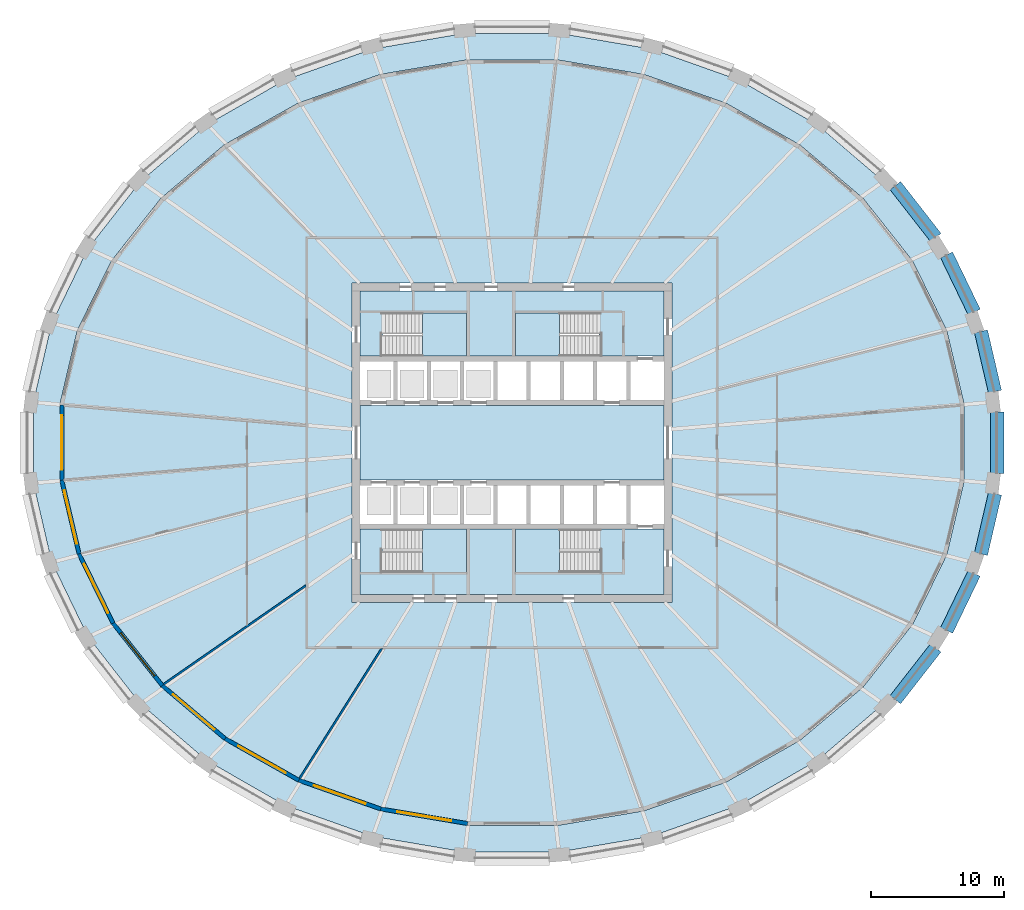
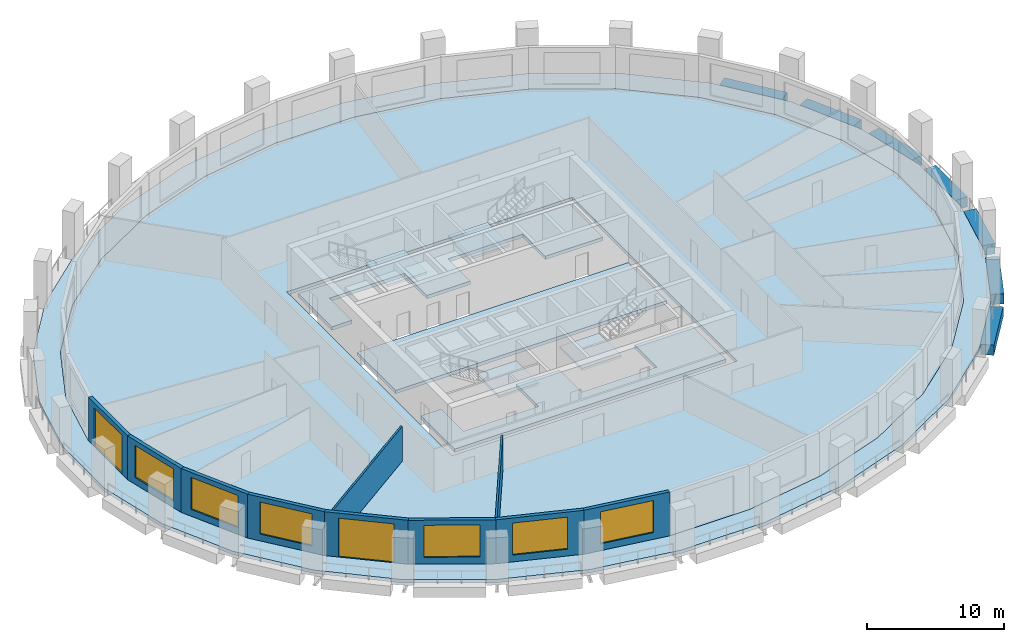
# One storey, part 2 of 11: 10 walls, 9 slabs, 7 beams, 6 windows, 2 doors, 8 openings, 4 elements without a shape of their own.
"""IFC4 building model written with IfcOpenShell, lengths in metres."""

from ifc_helpers import new_model, si_unit, direction, frame, frame_2d, origin, origin_2d, place, context, subcontext, project, spatial, polyline, rectangle, outline, extrude, material, layer, layer_set, material_profile, profile_set, type_object, element, fill, aggregate, save


model = new_model("IFC4")

# Units and contexts
model_context = context("Model", 3, precision=1e-05, world=origin(), true_north=direction((0.0, 1.0)))
body_context = subcontext(model_context, "Body", "Model", "MODEL_VIEW")
ifc_project = project(units=[si_unit("LENGTHUNIT", "METRE"), si_unit("AREAUNIT", "SQUARE_METRE"), si_unit("VOLUMEUNIT", "CUBIC_METRE"), si_unit("PLANEANGLEUNIT", "RADIAN"), si_unit("MASSUNIT", "GRAM", prefix="KILO")], contexts=[model_context])

# Site, building, storey
site_placement = place(None, origin())
site = spatial("IfcSite", under=ifc_project, at=site_placement, CompositionType="ELEMENT")
building_placement = place(site_placement, origin())
building = spatial("IfcBuilding", under=site, at=building_placement, Name="Halqa Exchange Tower", CompositionType="ELEMENT")
storey_placement = place(building_placement, frame((0.0, 0.0, 82.300048828125)))
storey = spatial("IfcBuildingStorey", under=building, at=storey_placement, Name="L18", CompositionType="ELEMENT", Elevation=82.300048828125)

# Beams
ifc_material_1 = material(Name="Concrete C60/75", Category="concrete")
ifc_material_profile = material_profile(ifc_material_1, rectangle(XDim=1.0, YDim=0.89990234375, at=origin_2d()), Name="1000 x 900")
ifc_profile_set = profile_set([ifc_material_profile], Name="Concrete C60/75")
beam_type = type_object("IfcBeamType", Name="RC spandrel beam 1000 x 900 C60/75", PredefinedType="SPANDREL", material=ifc_profile_set)
beam_1_placement = place(storey_placement, frame((36.279541015625, 3.83447265625, -0.449951171875), z_axis=(-0.226061116023, 0.97411312065, 0.0), x_axis=(-0.97411312065, -0.226061116023, 0.0)))
element("IfcBeam", 1, at=beam_1_placement, inside=storey, type_object=beam_type, Name="Spandrel 1", PredefinedType="SPANDREL", context=body_context, shape_type="SweptSolid", body=[
    extrude(rectangle(XDim=1.0, YDim=0.89990234375, at=origin_2d()), origin(), (0.0, 0.0, 1.0), 4.643798828125),
])
beam_2_placement = place(storey_placement, frame((34.716064453125, 9.814697265625, -0.449951171875), z_axis=(-0.435134718336, 0.900365357452, 0.0), x_axis=(-0.900365357452, -0.435134718336, 0.0)))
element("IfcBeam", 2, at=beam_2_placement, inside=storey, type_object=beam_type, Name="Spandrel 2", PredefinedType="SPANDREL", context=body_context, shape_type="SweptSolid", body=[
    extrude(rectangle(XDim=1.0, YDim=0.89990234375, at=origin_2d()), origin(), (0.0, 0.0, 1.0), 4.76171875),
])
for number, where, z_axis, x_axis, name in (
    (3, (31.82958984375, 15.41259765625, -0.449951171875), (-0.614823356822, 0.788664846374, 0.0), (-0.788664846374, -0.614823356822, 0.0), "Spandrel 3"),
    (4, (28.793701171875, -19.306884765625, -0.449951171875), (0.614823356822, 0.788664846374, 0.0), (-0.788664846374, 0.614823356822, 0.0), "Spandrel 29"),
):
    element("IfcBeam", number, at=place(storey_placement, frame(where, z_axis=z_axis, x_axis=x_axis)), inside=storey, type_object=beam_type, Name=name, PredefinedType="SPANDREL", context=body_context, shape_type="SweptSolid", body=[
        extrude(rectangle(XDim=1.0, YDim=0.89990234375, at=origin_2d()), origin(), (0.0, 0.0, 1.0), 4.937744140625),
    ])
beam_3_placement = place(storey_placement, frame((32.64404296875, -14.10205078125, -0.449951171875), z_axis=(0.435134718336, 0.900365357452, 0.0), x_axis=(-0.900365357452, 0.435134718336, 0.0)))
element("IfcBeam", 5, at=beam_3_placement, inside=storey, type_object=beam_type, Name="Spandrel 30", PredefinedType="SPANDREL", context=body_context, shape_type="SweptSolid", body=[
    extrude(rectangle(XDim=1.0, YDim=0.89990234375, at=origin_2d()), origin(), (0.0, 0.0, 1.0), 4.76171875),
])
beam_4_placement = place(storey_placement, frame((35.229736328125, -8.358154296875, -0.449951171875), z_axis=(0.226061116023, 0.97411312065, 0.0), x_axis=(-0.97411312065, 0.226061116023, 0.0)))
element("IfcBeam", 6, at=beam_4_placement, inside=storey, type_object=beam_type, Name="Spandrel 31", PredefinedType="SPANDREL", context=body_context, shape_type="SweptSolid", body=[
    extrude(rectangle(XDim=1.0, YDim=0.89990234375, at=origin_2d()), origin(), (0.0, 0.0, 1.0), 4.643798828125),
])
beam_5_placement = place(storey_placement, frame((36.455078125, -2.30029296875, -0.449951171875), z_axis=(0.0, 1.0, 0.0), x_axis=(-1.0, 0.0, 0.0)))
element("IfcBeam", 7, at=beam_5_placement, inside=storey, type_object=beam_type, Name="Spandrel 32", PredefinedType="SPANDREL", context=body_context, shape_type="SweptSolid", body=[
    extrude(rectangle(XDim=1.0, YDim=0.89990234375, at=origin_2d()), origin(), (0.0, 0.0, 1.0), 4.6005859375),
])

# Slabs
ifc_layer_1 = layer(ifc_material_1, 0.300048828125)
ifc_layer_set_1 = layer_set([ifc_layer_1], Name="Concrete C60/75")
slab_type_1 = type_object("IfcSlabType", Name="Core floor slab 300", PredefinedType="FLOOR", material=ifc_layer_set_1)
slab_1_placement = place(storey_placement, frame((0.0, 0.0, -0.300048828125)))
element("IfcSlab", 8, at=slab_1_placement, inside=storey, type_object=slab_type_1, Name="Core floor slab", PredefinedType="FLOOR", context=body_context, shape_type="SweptSolid", body=[
    extrude(outline(polyline([(-11.39990234375, 2.800048828125), (11.39990234375, 2.800048828125), (11.39990234375, -2.800048828125), (-11.39990234375, -2.800048828125), (-11.39990234375, 2.800048828125)])), origin(), (0.0, 0.0, 1.0), 0.300048828125),
])
slab_2_placement = place(storey_placement, frame((0.0, 0.0, -0.300048828125)))
element("IfcSlab", 9, at=slab_2_placement, inside=storey, type_object=slab_type_1, Name="Core floor slab", PredefinedType="FLOOR", context=body_context, shape_type="SweptSolid", body=[
    extrude(outline(polyline([(-11.39990234375, 11.39990234375), (11.39990234375, 11.39990234375), (11.39990234375, 6.5), (6.550048828125, 6.5), (6.550048828125, 9.75), (0.25, 9.75), (0.25, 6.5), (-3.39990234375, 6.5), (-3.39990234375, 9.75), (-9.699951171875, 9.75), (-9.699951171875, 6.5), (-11.39990234375, 6.5), (-11.39990234375, 11.39990234375)])), origin(), (0.0, 0.0, 1.0), 0.300048828125),
])
slab_3_placement = place(storey_placement, frame((0.0, 0.0, -0.300048828125)))
element("IfcSlab", 10, at=slab_3_placement, inside=storey, type_object=slab_type_1, Name="Core floor slab", PredefinedType="FLOOR", context=body_context, shape_type="SweptSolid", body=[
    extrude(outline(polyline([(-9.699951171875, -9.75), (-3.39990234375, -9.75), (-3.39990234375, -6.5), (0.25, -6.5), (0.25, -9.75), (6.550048828125, -9.75), (6.550048828125, -6.5), (11.39990234375, -6.5), (11.39990234375, -11.39990234375), (-11.39990234375, -11.39990234375), (-11.39990234375, -6.5), (-9.699951171875, -6.5), (-9.699951171875, -9.75)])), origin(), (0.0, 0.0, 1.0), 0.300048828125),
])
ifc_material_2 = material(Name="Concrete C40/50", Category="concrete")
ifc_layer_2 = layer(ifc_material_2, 0.300048828125)
ifc_layer_set_2 = layer_set([ifc_layer_2], Name="Concrete C40/50")
slab_type_2 = type_object("IfcSlabType", Name="RC floor slab 300", PredefinedType="FLOOR", material=ifc_layer_set_2)
slab_4_placement = place(storey_placement, frame((0.0, 0.0, -0.300048828125)))
element("IfcSlab", 11, at=slab_4_placement, inside=storey, type_object=slab_type_2, Name="Floor slab", PredefinedType="FLOOR", context=body_context, shape_type="SweptSolid", body=[
    extrude(outline(polyline([(33.96875, 2.837890625), (32.6591796875, 8.4033203125), (30.092041015625, 13.64208984375), (26.368896484375, 18.352294921875), (21.634521484375, 22.354248046875), (16.072509765625, 25.495849609375), (9.895751953125, 27.65869140625), (3.341064453125, 28.7607421875), (-3.341064453125, 28.7607421875), (-9.895751953125, 27.65869140625), (-16.072509765625, 25.495849609375), (-21.634521484375, 22.354248046875), (-26.368896484375, 18.352294921875), (-30.092041015625, 13.64208984375), (-32.6591796875, 8.4033203125), (-33.96875, 2.837890625), (-33.96875, -2.837890625), (-32.6591796875, -8.4033203125), (-30.092041015625, -13.64208984375), (-26.368896484375, -18.352294921875), (-21.634521484375, -22.354248046875), (-16.072509765625, -25.495849609375), (-9.895751953125, -27.65869140625), (-3.341064453125, -28.7607421875), (3.341064453125, -28.7607421875), (9.895751953125, -27.65869140625), (16.072509765625, -25.495849609375), (21.634521484375, -22.354248046875), (26.368896484375, -18.352294921875), (30.092041015625, -13.64208984375), (32.6591796875, -8.4033203125), (33.96875, -2.837890625), (33.96875, 2.837890625)]), holes=[polyline([(-12.0, -12.0), (12.0, -12.0), (12.0, 12.0), (-12.0, 12.0), (-12.0, -12.0)])]), origin(), (0.0, 0.0, 1.0), 0.300048828125),
])
ifc_layer_3 = layer(ifc_material_2, 0.300048828125)
ifc_layer_set_3 = layer_set([ifc_layer_3], Name="Concrete C40/50")
slab_type_3 = type_object("IfcSlabType", Name="RC loggia slab 300", PredefinedType="FLOOR", material=ifc_layer_set_3)
slab_5_placement = place(storey_placement, frame((0.0, 0.0, -0.300048828125)))
element("IfcSlab", 12, at=slab_5_placement, inside=storey, type_object=slab_type_3, Name="Loggia slab", PredefinedType="FLOOR", context=body_context, shape_type="SweptSolid", body=[
    extrude(outline(polyline([(35.955078125, 3.020263671875), (35.955078125, -3.020263671875), (34.579833984375, -8.947265625), (31.879150390625, -14.53564453125), (27.953125, -19.572021484375), (22.94921875, -23.861083984375), (17.058349609375, -27.23486328125), (10.507080078125, -29.560791015625), (3.548095703125, -30.747314453125), (-3.548095703125, -30.747314453125), (-10.507080078125, -29.560791015625), (-17.058349609375, -27.23486328125), (-22.94921875, -23.861083984375), (-27.953125, -19.572021484375), (-31.879150390625, -14.53564453125), (-34.579833984375, -8.947265625), (-35.955078125, -3.020263671875), (-35.955078125, 3.020263671875), (-34.579833984375, 8.947265625), (-31.879150390625, 14.53564453125), (-27.953125, 19.572021484375), (-22.94921875, 23.861083984375), (-17.058349609375, 27.23486328125), (-10.507080078125, 29.560791015625), (-3.548095703125, 30.747314453125), (3.548095703125, 30.747314453125), (10.507080078125, 29.560791015625), (17.058349609375, 27.23486328125), (22.94921875, 23.861083984375), (27.953125, 19.572021484375), (31.879150390625, 14.53564453125), (34.579833984375, 8.947265625), (35.955078125, 3.020263671875)]), holes=[polyline([(33.96875, 2.837890625), (32.6591796875, 8.4033203125), (30.092041015625, 13.64208984375), (26.368896484375, 18.352294921875), (21.634521484375, 22.354248046875), (16.072509765625, 25.495849609375), (9.895751953125, 27.65869140625), (3.341064453125, 28.7607421875), (-3.341064453125, 28.7607421875), (-9.895751953125, 27.65869140625), (-16.072509765625, 25.495849609375), (-21.634521484375, 22.354248046875), (-26.368896484375, 18.352294921875), (-30.092041015625, 13.64208984375), (-32.6591796875, 8.4033203125), (-33.96875, 2.837890625), (-33.96875, -2.837890625), (-32.6591796875, -8.4033203125), (-30.092041015625, -13.64208984375), (-26.368896484375, -18.352294921875), (-21.634521484375, -22.354248046875), (-16.072509765625, -25.495849609375), (-9.895751953125, -27.65869140625), (-3.341064453125, -28.7607421875), (3.341064453125, -28.7607421875), (9.895751953125, -27.65869140625), (16.072509765625, -25.495849609375), (21.634521484375, -22.354248046875), (26.368896484375, -18.352294921875), (30.092041015625, -13.64208984375), (32.6591796875, -8.4033203125), (33.96875, -2.837890625), (33.96875, 2.837890625)])]), origin(), (0.0, 0.0, 1.0), 0.300048828125),
])

# Stair, slab
ifc_material_3 = material(Name="Concrete C30/37", Category="concrete")
stair_type = type_object("IfcStairType", Name="Exit stair 1500 wide", PredefinedType="HALF_TURN_STAIR", material=ifc_material_3)
stair_1_placement = place(storey_placement, origin())
stair_1 = element("IfcStair", 13, at=stair_1_placement, inside=storey, type_object=stair_type, Name="Exit stair ST1", PredefinedType="HALF_TURN_STAIR")
ifc_layer_4 = layer(ifc_material_3, 0.199951171875)
ifc_layer_set_4 = layer_set([ifc_layer_4], Name="Concrete C30/37")
slab_type_4 = type_object("IfcSlabType", Name="Stair landing 200 slab", PredefinedType="LANDING", material=ifc_layer_set_4)
slab_6_placement = place(storey_placement, frame((0.0, 0.0, 1.89990234375)))
slab_6 = element("IfcSlab", 14, at=slab_6_placement, type_object=slab_type_4, Name="ST1 landing 1", PredefinedType="LANDING", context=body_context, shape_type="SweptSolid", body=[
    extrude(outline(polyline([(-6.719970703125, 6.5), (-3.39990234375, 6.5), (-3.39990234375, 9.75), (-6.719970703125, 9.75), (-6.719970703125, 6.5)])), origin(), (0.0, 0.0, 1.0), 0.199951171875),
])
aggregate(stair_1, [slab_6])

stair_2_placement = place(storey_placement, origin())
stair_2 = element("IfcStair", 15, at=stair_2_placement, inside=storey, type_object=stair_type, Name="Exit stair ST2", PredefinedType="HALF_TURN_STAIR")
slab_7_placement = place(storey_placement, frame((0.0, 0.0, 1.89990234375)))
slab_7 = element("IfcSlab", 16, at=slab_7_placement, type_object=slab_type_4, Name="ST2 landing 1", PredefinedType="LANDING", context=body_context, shape_type="SweptSolid", body=[
    extrude(outline(polyline([(0.25, 6.5), (3.570068359375, 6.5), (3.570068359375, 9.75), (0.25, 9.75), (0.25, 6.5)])), origin(), (0.0, 0.0, 1.0), 0.199951171875),
])
aggregate(stair_2, [slab_7])

stair_3_placement = place(storey_placement, origin())
stair_3 = element("IfcStair", 17, at=stair_3_placement, inside=storey, type_object=stair_type, Name="Exit stair ST3", PredefinedType="HALF_TURN_STAIR")
slab_8_placement = place(storey_placement, frame((0.0, 0.0, 1.89990234375)))
slab_8 = element("IfcSlab", 18, at=slab_8_placement, type_object=slab_type_4, Name="ST3 landing 1", PredefinedType="LANDING", context=body_context, shape_type="SweptSolid", body=[
    extrude(outline(polyline([(-6.719970703125, -9.75), (-3.39990234375, -9.75), (-3.39990234375, -6.5), (-6.719970703125, -6.5), (-6.719970703125, -9.75)])), origin(), (0.0, 0.0, 1.0), 0.199951171875),
])
aggregate(stair_3, [slab_8])

stair_4_placement = place(storey_placement, origin())
stair_4 = element("IfcStair", 19, at=stair_4_placement, inside=storey, type_object=stair_type, Name="Exit stair ST4", PredefinedType="HALF_TURN_STAIR")
slab_9_placement = place(storey_placement, frame((0.0, 0.0, 1.89990234375)))
slab_9 = element("IfcSlab", 20, at=slab_9_placement, type_object=slab_type_4, Name="ST4 landing 1", PredefinedType="LANDING", context=body_context, shape_type="SweptSolid", body=[
    extrude(outline(polyline([(0.25, -9.75), (3.570068359375, -9.75), (3.570068359375, -6.5), (0.25, -6.5), (0.25, -9.75)])), origin(), (0.0, 0.0, 1.0), 0.199951171875),
])
aggregate(stair_4, [slab_9])

# Walls
ifc_material_4 = material(Name="Fire-rated gypsum board")
ifc_layer_5 = layer(ifc_material_4, 0.14990234375)
ifc_layer_set_5 = layer_set([ifc_layer_5], Name="Fire-rated gypsum board")
wall_type_1 = type_object("IfcWallType", Name="Fire partition EI 60 150", PredefinedType="PARTITIONING", material=ifc_layer_set_5)
wall_1_placement = place(storey_placement, frame((-26.158203125, -18.142333984375, 0.0), z_axis=(0.0, 0.0, 1.0), x_axis=(0.821670699987, 0.569962508226, 0.0)))
element("IfcWall", 21, at=wall_1_placement, inside=storey, type_object=wall_type_1, Name="L18-PWL-002", PredefinedType="PARTITIONING", context=body_context, shape_type="SweptSolid", body=[
    extrude(outline(polyline([(0.02392578125, -0.074951171875), (1.870361328125, -0.074951171875), (3.717041015625, -0.074951171875), (5.5634765625, -0.074951171875), (7.41015625, -0.074951171875), (9.256591796875, -0.074951171875), (11.103271484375, -0.074951171875), (12.94970703125, -0.074951171875), (13.0029296875, 0.001708984375), (13.0029296875, 0.001708984375), (13.053466796875, 0.074462890625), (13.053466796875, 0.074951171875), (11.27880859375, 0.074951171875), (9.50390625, 0.074951171875), (7.729248046875, 0.074951171875), (7.72802734375, 0.0732421875), (7.7255859375, 0.074951171875), (5.794189453125, 0.074951171875), (3.86279296875, 0.074951171875), (1.931396484375, 0.074951171875), (0.0, 0.074951171875), (0.0, 0.072509765625), (0.004638671875, -0.003662109375), (0.02392578125, -0.074951171875)])), origin(), (0.0, 0.0, 1.0), 3.099853515625),
])
wall_2_placement = place(storey_placement, frame((-9.76220703125, -15.43505859375, 0.0), z_axis=(0.0, 0.0, 1.0), x_axis=(-0.534199196173, -0.845358633249, 0.0)))
element("IfcWall", 22, at=wall_2_placement, inside=storey, type_object=wall_type_1, Name="L18-PWL-010", PredefinedType="PARTITIONING", context=body_context, shape_type="SweptSolid", body=[
    extrude(outline(polyline([(11.580810546875, -0.074951171875), (11.580810546875, -0.065673828125), (11.57763671875, -0.001220703125), (11.56005859375, 0.074951171875), (9.63330078125, 0.074951171875), (7.706787109375, 0.074951171875), (5.780029296875, 0.074951171875), (3.853271484375, 0.074951171875), (1.9267578125, 0.074951171875), (0.0, 0.074951171875), (0.0, 0.07470703125), (0.0947265625, -0.074951171875), (2.009033203125, -0.074951171875), (3.92333984375, -0.074951171875), (5.837646484375, -0.074951171875), (7.752197265625, -0.074951171875), (9.66650390625, -0.074951171875), (11.580810546875, -0.074951171875)])), origin(), (0.0, 0.0, 1.0), 3.14697265625),
])

# Wall, opening, door
ifc_material_5 = material(Name="Limestone cladding", Category="masonry")
ifc_layer_6 = layer(ifc_material_5, 0.0400390625)
ifc_material_6 = material(Name="Ventilated cavity")
ifc_layer_7 = layer(ifc_material_6, 0.030029296875, ventilated=True)
ifc_material_7 = material(Name="Mineral wool insulation")
ifc_layer_8 = layer(ifc_material_7, 0.10009765625)
ifc_layer_9 = layer(ifc_material_3, 0.10009765625)
ifc_material_8 = material(Name="Internal plaster")
ifc_layer_10 = layer(ifc_material_8, 0.030029296875)
ifc_layer_set_6 = layer_set([ifc_layer_6, ifc_layer_7, ifc_layer_8, ifc_layer_9, ifc_layer_10], Name="Stone-faced insulated wall 300")
wall_type_2 = type_object("IfcWallType", Name="Stone-faced insulated wall 300", PredefinedType="STANDARD", material=ifc_layer_set_6)
wall_3_placement = place(storey_placement, frame((-33.818603515625, 2.820556640625, 0.0), z_axis=(0.0, 0.0, 1.0), x_axis=(0.0, -1.0, 0.0)))
wall_3 = element("IfcWall", 23, at=wall_3_placement, inside=storey, type_object=wall_type_2, Name="Glass-line wall 16", PredefinedType="STANDARD", context=body_context, shape_type="SweptSolid", body=[
    extrude(outline(polyline([(-0.017333984375, -0.14990234375), (5.658447265625, -0.14990234375), (5.623779296875, 0.14990234375), (0.017333984375, 0.14990234375), (-0.017333984375, -0.14990234375)])), origin(), (0.0, 0.0, 1.0), 3.89990234375),
])
opening_1_placement = place(wall_3_placement, frame((0.7705078125, 0.0, 0.0)))
opening_1 = element("IfcOpeningElement", 24, at=opening_1_placement, cuts=wall_3, Name="Opening LG-F1-04", PredefinedType="OPENING", context=body_context, shape_type="SweptSolid", body=[
    extrude(rectangle(XDim=4.10009765625, YDim=3.449951171875, at=frame_2d((2.050048828125, 1.72509765625))), frame((0.0, 0.162109375, 0.0), z_axis=(0.0, -1.0, 0.0), x_axis=(1.0, 0.0, 0.0)), (0.0, 0.0, 1.0), 0.323974609375),
])
ifc_material_9 = material(Name="Clear low-emissivity glass in aluminium frame", Category="aluminium")
door_type = type_object("IfcDoorType", Name="Glazed sliding loggia door 4100 x 3450", OperationType="DOUBLE_DOOR_SLIDING", PredefinedType="DOOR", material=ifc_material_9)
door_1_placement = place(opening_1_placement, origin())
door_1 = element("IfcDoor", 25, at=door_1_placement, inside=storey, type_object=door_type, Name="Loggia door 4", OperationType="DOUBLE_DOOR_SLIDING", OverallHeight=3.449951171875, OverallWidth=4.10009765625, PredefinedType="DOOR", context=body_context, shape_type="SweptSolid", body=[
    extrude(rectangle(XDim=4.10009765625, YDim=3.449951171875, at=frame_2d((2.050048828125, 1.72509765625))), frame((0.0, 0.02490234375, 0.0), z_axis=(0.0, -1.0, 0.0), x_axis=(1.0, 0.0, 0.0)), (0.0, 0.0, 1.0), 0.050048828125),
])
fill(opening_1, door_1)

# Wall, opening, window
wall_4_placement = place(storey_placement, frame((-33.818603515625, -2.820556640625, 0.0), z_axis=(0.0, 0.0, 1.0), x_axis=(0.229058489262, -0.97341266095, 0.0)))
wall_4 = element("IfcWall", 26, at=wall_4_placement, inside=storey, type_object=wall_type_2, Name="Glass-line wall 17", PredefinedType="STANDARD", context=body_context, shape_type="SweptSolid", body=[
    extrude(outline(polyline([(-0.017333984375, -0.14990234375), (5.699951171875, -0.14990234375), (5.666259765625, 0.14990234375), (0.017333984375, 0.14990234375), (-0.017333984375, -0.14990234375)])), origin(), (0.0, 0.0, 1.0), 3.89990234375),
])
opening_2_placement = place(wall_4_placement, frame((0.79150390625, 0.0, 0.60009765625)))
opening_2 = element("IfcOpeningElement", 27, at=opening_2_placement, cuts=wall_4, Name="Opening W-F1-17", PredefinedType="OPENING", context=body_context, shape_type="SweptSolid", body=[
    extrude(rectangle(XDim=4.10009765625, YDim=2.85009765625, at=frame_2d((2.050048828125, 1.425048828125))), frame((0.0, 0.162109375, 0.0), z_axis=(0.0, -1.0, 0.0), x_axis=(1.0, 0.0, 0.0)), (0.0, 0.0, 1.0), 0.323974609375),
])
window_type = type_object("IfcWindowType", Name="Fixed clear glazed window 4100 x 2850", PartitioningType="TRIPLE_PANEL_VERTICAL", PredefinedType="WINDOW", material=ifc_material_9)
window_1_placement = place(opening_2_placement, origin())
window_1 = element("IfcWindow", 28, at=window_1_placement, inside=storey, type_object=window_type, Name="Window 1", OverallHeight=2.85009765625, OverallWidth=4.10009765625, PartitioningType="TRIPLE_PANEL_VERTICAL", PredefinedType="WINDOW", context=body_context, shape_type="SweptSolid", body=[
    extrude(rectangle(XDim=4.10009765625, YDim=2.85009765625, at=frame_2d((2.050048828125, 1.425048828125))), frame((0.0, 0.030029296875, 0.0), z_axis=(0.0, -1.0, 0.0), x_axis=(1.0, 0.0, 0.0)), (0.0, 0.0, 1.0), 0.06005859375),
])
fill(opening_2, window_1)

wall_5_placement = place(storey_placement, frame((-32.516845703125, -8.3525390625, 0.0), z_axis=(0.0, 0.0, 1.0), x_axis=(0.440027465772, -0.897984314655, 0.0)))
wall_5 = element("IfcWall", 29, at=wall_5_placement, inside=storey, type_object=wall_type_2, Name="Glass-line wall 18", PredefinedType="STANDARD", context=body_context, shape_type="SweptSolid", body=[
    extrude(outline(polyline([(-0.016845703125, -0.14990234375), (5.81689453125, -0.14990234375), (5.78466796875, 0.14990234375), (0.016845703125, 0.14990234375), (-0.016845703125, -0.14990234375)])), origin(), (0.0, 0.0, 1.0), 3.89990234375),
])
opening_3_placement = place(wall_5_placement, frame((0.850341796875, 0.0, 0.60009765625)))
opening_3 = element("IfcOpeningElement", 30, at=opening_3_placement, cuts=wall_5, Name="Opening W-F1-18", PredefinedType="OPENING", context=body_context, shape_type="SweptSolid", body=[
    extrude(rectangle(XDim=4.10009765625, YDim=2.85009765625, at=frame_2d((2.050048828125, 1.425048828125))), frame((0.0, 0.162109375, 0.0), z_axis=(0.0, -1.0, 0.0), x_axis=(1.0, 0.0, 0.0)), (0.0, 0.0, 1.0), 0.323974609375),
])
window_2_placement = place(opening_3_placement, origin())
window_2 = element("IfcWindow", 31, at=window_2_placement, inside=storey, type_object=window_type, Name="Window 1", OverallHeight=2.85009765625, OverallWidth=4.10009765625, PartitioningType="TRIPLE_PANEL_VERTICAL", PredefinedType="WINDOW", context=body_context, shape_type="SweptSolid", body=[
    extrude(rectangle(XDim=4.10009765625, YDim=2.85009765625, at=frame_2d((2.050048828125, 1.425048828125))), frame((0.0, 0.030029296875, 0.0), z_axis=(0.0, -1.0, 0.0), x_axis=(1.0, 0.0, 0.0)), (0.0, 0.0, 1.0), 0.06005859375),
])
fill(opening_3, window_2)

wall_6_placement = place(storey_placement, frame((-29.96435546875, -13.5615234375, 0.0), z_axis=(0.0, 0.0, 1.0), x_axis=(0.620093447965, -0.784527957303, 0.0)))
wall_6 = element("IfcWall", 32, at=wall_6_placement, inside=storey, type_object=wall_type_2, Name="Glass-line wall 19", PredefinedType="STANDARD", context=body_context, shape_type="SweptSolid", body=[
    extrude(outline(polyline([(-0.01611328125, -0.14990234375), (5.98828125, -0.14990234375), (5.9580078125, 0.14990234375), (0.01611328125, 0.14990234375), (-0.01611328125, -0.14990234375)])), origin(), (0.0, 0.0, 1.0), 3.89990234375),
])
opening_4_placement = place(wall_6_placement, frame((0.9365234375, 0.0, 0.60009765625)))
opening_4 = element("IfcOpeningElement", 33, at=opening_4_placement, cuts=wall_6, Name="Opening W-F1-19", PredefinedType="OPENING", context=body_context, shape_type="SweptSolid", body=[
    extrude(rectangle(XDim=4.10009765625, YDim=2.85009765625, at=frame_2d((2.050048828125, 1.425048828125))), frame((0.0, 0.162109375, 0.0), z_axis=(0.0, -1.0, 0.0), x_axis=(1.0, 0.0, 0.0)), (0.0, 0.0, 1.0), 0.323974609375),
])
window_3_placement = place(opening_4_placement, origin())
window_3 = element("IfcWindow", 34, at=window_3_placement, inside=storey, type_object=window_type, Name="Window 1", OverallHeight=2.85009765625, OverallWidth=4.10009765625, PartitioningType="TRIPLE_PANEL_VERTICAL", PredefinedType="WINDOW", context=body_context, shape_type="SweptSolid", body=[
    extrude(rectangle(XDim=4.10009765625, YDim=2.85009765625, at=frame_2d((2.050048828125, 1.425048828125))), frame((0.0, 0.030029296875, 0.0), z_axis=(0.0, -1.0, 0.0), x_axis=(1.0, 0.0, 0.0)), (0.0, 0.0, 1.0), 0.06005859375),
])
fill(opening_4, window_3)

# Wall, opening, door
wall_7_placement = place(storey_placement, frame((-26.260498046875, -18.24755859375, 0.0), z_axis=(0.0, 0.0, 1.0), x_axis=(0.763693886759, -0.645578536916, 0.0)))
wall_7 = element("IfcWall", 35, at=wall_7_placement, inside=storey, type_object=wall_type_2, Name="Glass-line wall 20", PredefinedType="STANDARD", context=body_context, shape_type="SweptSolid", body=[
    extrude(outline(polyline([(-0.01513671875, -0.14990234375), (6.18408203125, -0.14990234375), (6.15576171875, 0.14990234375), (0.01513671875, 0.14990234375), (-0.01513671875, -0.14990234375)])), origin(), (0.0, 0.0, 1.0), 3.89990234375),
])
opening_5_placement = place(wall_7_placement, frame((1.034912109375, 0.0, 0.0)))
opening_5 = element("IfcOpeningElement", 36, at=opening_5_placement, cuts=wall_7, Name="Opening LG-F1-05", PredefinedType="OPENING", context=body_context, shape_type="SweptSolid", body=[
    extrude(rectangle(XDim=4.10009765625, YDim=3.449951171875, at=frame_2d((2.050048828125, 1.72509765625))), frame((0.0, 0.162109375, 0.0), z_axis=(0.0, -1.0, 0.0), x_axis=(1.0, 0.0, 0.0)), (0.0, 0.0, 1.0), 0.323974609375),
])
door_2_placement = place(opening_5_placement, origin())
door_2 = element("IfcDoor", 37, at=door_2_placement, inside=storey, type_object=door_type, Name="Loggia door 5", OperationType="DOUBLE_DOOR_SLIDING", OverallHeight=3.449951171875, OverallWidth=4.10009765625, PredefinedType="DOOR", context=body_context, shape_type="SweptSolid", body=[
    extrude(rectangle(XDim=4.10009765625, YDim=3.449951171875, at=frame_2d((2.050048828125, 1.72509765625))), frame((0.0, 0.02490234375, 0.0), z_axis=(0.0, -1.0, 0.0), x_axis=(1.0, 0.0, 0.0)), (0.0, 0.0, 1.0), 0.050048828125),
])
fill(opening_5, door_2)

# Wall, opening, window
wall_8_placement = place(storey_placement, frame((-21.548583984375, -22.230712890625, 0.0), z_axis=(0.0, 0.0, 1.0), x_axis=(0.870710061474, -0.491796694629, 0.0)))
wall_8 = element("IfcWall", 38, at=wall_8_placement, inside=storey, type_object=wall_type_2, Name="Glass-line wall 21", PredefinedType="STANDARD", context=body_context, shape_type="SweptSolid", body=[
    extrude(outline(polyline([(-0.01416015625, -0.14990234375), (6.3740234375, -0.14990234375), (6.34716796875, 0.14990234375), (0.01416015625, 0.14990234375), (-0.01416015625, -0.14990234375)])), origin(), (0.0, 0.0, 1.0), 3.89990234375),
])
opening_6_placement = place(wall_8_placement, frame((1.13037109375, 0.0, 0.60009765625)))
opening_6 = element("IfcOpeningElement", 39, at=opening_6_placement, cuts=wall_8, Name="Opening W-F1-21", PredefinedType="OPENING", context=body_context, shape_type="SweptSolid", body=[
    extrude(rectangle(XDim=4.10009765625, YDim=2.85009765625, at=frame_2d((2.050048828125, 1.425048828125))), frame((0.0, 0.162109375, 0.0), z_axis=(0.0, -1.0, 0.0), x_axis=(1.0, 0.0, 0.0)), (0.0, 0.0, 1.0), 0.323974609375),
])
window_4_placement = place(opening_6_placement, origin())
window_4 = element("IfcWindow", 40, at=window_4_placement, inside=storey, type_object=window_type, Name="Window 1", OverallHeight=2.85009765625, OverallWidth=4.10009765625, PartitioningType="TRIPLE_PANEL_VERTICAL", PredefinedType="WINDOW", context=body_context, shape_type="SweptSolid", body=[
    extrude(rectangle(XDim=4.10009765625, YDim=2.85009765625, at=frame_2d((2.050048828125, 1.425048828125))), frame((0.0, 0.030029296875, 0.0), z_axis=(0.0, -1.0, 0.0), x_axis=(1.0, 0.0, 0.0)), (0.0, 0.0, 1.0), 0.06005859375),
])
fill(opening_6, window_4)

wall_9_placement = place(storey_placement, frame((-16.01025390625, -25.35888671875, 0.0), z_axis=(0.0, 0.0, 1.0), x_axis=(0.943815136299, -0.330473884736, 0.0)))
wall_9 = element("IfcWall", 41, at=wall_9_placement, inside=storey, type_object=wall_type_2, Name="Glass-line wall 22", PredefinedType="STANDARD", context=body_context, shape_type="SweptSolid", body=[
    extrude(outline(polyline([(-0.013427734375, -0.14990234375), (6.53076171875, -0.14990234375), (6.50537109375, 0.14990234375), (0.013427734375, 0.14990234375), (-0.013427734375, -0.14990234375)])), origin(), (0.0, 0.0, 1.0), 3.89990234375),
])
opening_7_placement = place(wall_9_placement, frame((1.208984375, 0.0, 0.60009765625)))
opening_7 = element("IfcOpeningElement", 42, at=opening_7_placement, cuts=wall_9, Name="Opening W-F1-22", PredefinedType="OPENING", context=body_context, shape_type="SweptSolid", body=[
    extrude(rectangle(XDim=4.10009765625, YDim=2.85009765625, at=frame_2d((2.050048828125, 1.425048828125))), frame((0.0, 0.162109375, 0.0), z_axis=(0.0, -1.0, 0.0), x_axis=(1.0, 0.0, 0.0)), (0.0, 0.0, 1.0), 0.323974609375),
])
window_5_placement = place(opening_7_placement, origin())
window_5 = element("IfcWindow", 43, at=window_5_placement, inside=storey, type_object=window_type, Name="Window 1", OverallHeight=2.85009765625, OverallWidth=4.10009765625, PartitioningType="TRIPLE_PANEL_VERTICAL", PredefinedType="WINDOW", context=body_context, shape_type="SweptSolid", body=[
    extrude(rectangle(XDim=4.10009765625, YDim=2.85009765625, at=frame_2d((2.050048828125, 1.425048828125))), frame((0.0, 0.030029296875, 0.0), z_axis=(0.0, -1.0, 0.0), x_axis=(1.0, 0.0, 0.0)), (0.0, 0.0, 1.0), 0.06005859375),
])
fill(opening_7, window_5)

wall_10_placement = place(storey_placement, frame((-9.8583984375, -27.512939453125, 0.0), z_axis=(0.0, 0.0, 1.0), x_axis=(0.986157735925, -0.165809890767, 0.0)))
wall_10 = element("IfcWall", 44, at=wall_10_placement, inside=storey, type_object=wall_type_2, Name="Glass-line wall 23", PredefinedType="STANDARD", context=body_context, shape_type="SweptSolid", body=[
    extrude(outline(polyline([(-0.0126953125, -0.14990234375), (6.6337890625, -0.14990234375), (6.60888671875, 0.14990234375), (0.0126953125, 0.14990234375), (-0.0126953125, -0.14990234375)])), origin(), (0.0, 0.0, 1.0), 3.89990234375),
])
opening_8_placement = place(wall_10_placement, frame((1.2607421875, 0.0, 0.60009765625)))
opening_8 = element("IfcOpeningElement", 45, at=opening_8_placement, cuts=wall_10, Name="Opening W-F1-23", PredefinedType="OPENING", context=body_context, shape_type="SweptSolid", body=[
    extrude(rectangle(XDim=4.10009765625, YDim=2.85009765625, at=frame_2d((2.050048828125, 1.425048828125))), frame((0.0, 0.162109375, 0.0), z_axis=(0.0, -1.0, 0.0), x_axis=(1.0, 0.0, 0.0)), (0.0, 0.0, 1.0), 0.323974609375),
])
window_6_placement = place(opening_8_placement, origin())
window_6 = element("IfcWindow", 46, at=window_6_placement, inside=storey, type_object=window_type, Name="Window 1", OverallHeight=2.85009765625, OverallWidth=4.10009765625, PartitioningType="TRIPLE_PANEL_VERTICAL", PredefinedType="WINDOW", context=body_context, shape_type="SweptSolid", body=[
    extrude(rectangle(XDim=4.10009765625, YDim=2.85009765625, at=frame_2d((2.050048828125, 1.425048828125))), frame((0.0, 0.030029296875, 0.0), z_axis=(0.0, -1.0, 0.0), x_axis=(1.0, 0.0, 0.0)), (0.0, 0.0, 1.0), 0.06005859375),
])
fill(opening_8, window_6)

save(model, "model.ifc")
